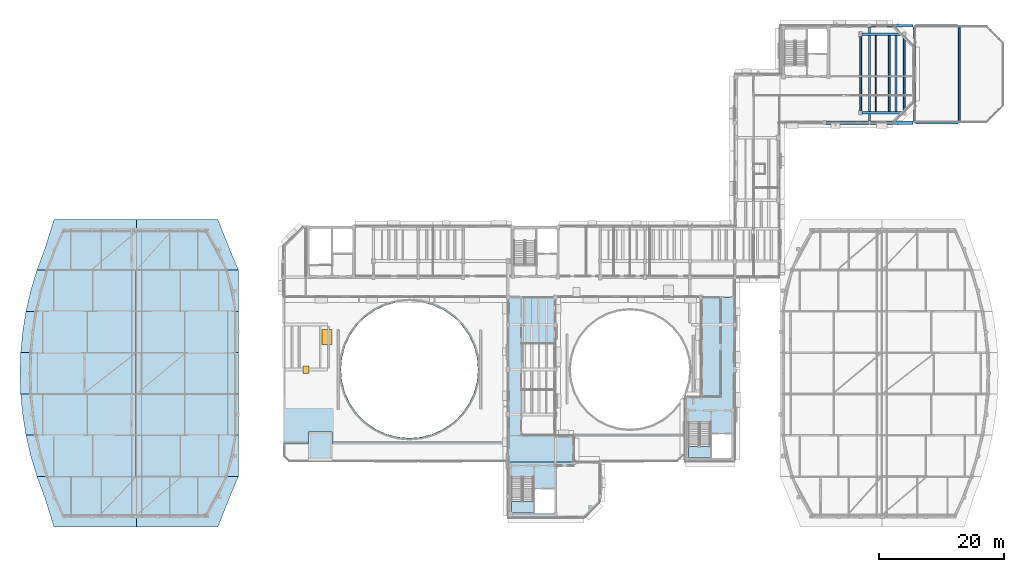
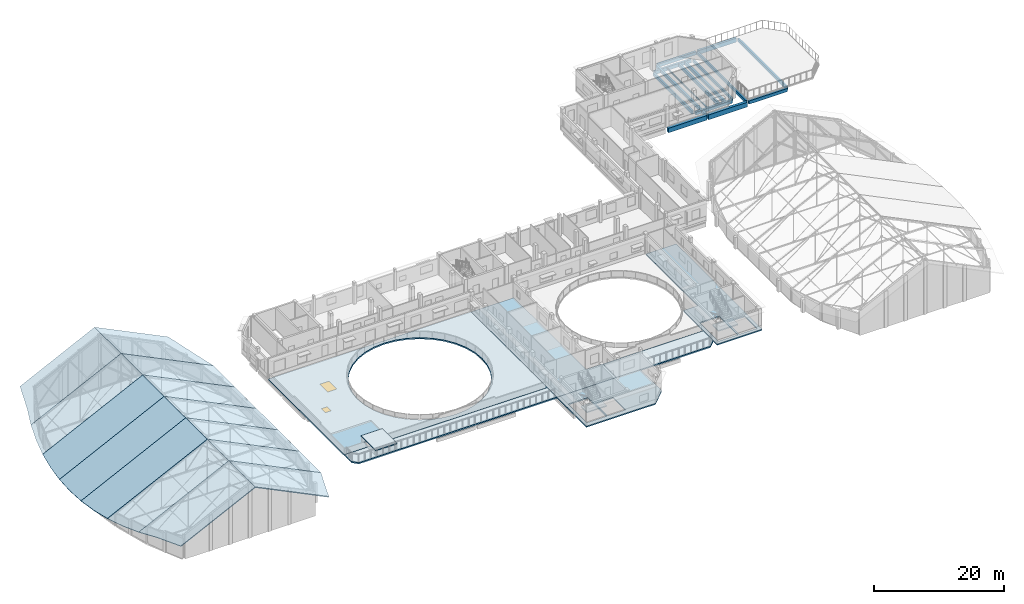
# One storey, part 36 of 78: 23 slabs, 15 beams, 2 windows, 2 openings, 2 elements without a shape of their own.
"""IFC4 building model written with IfcOpenShell, lengths in metres."""

from ifc_helpers import new_model, si_unit, direction, frame, origin, origin_2d, place, context, subcontext, project, spatial, polyline, rectangle, i_section, outline, extrude, material, layer, layer_set, material_profile, profile_set, type_object, element, fill, aggregate, save


model = new_model("IFC4")

# Units and contexts
model_context = context("Model", 3, precision=1e-05, world=origin(), true_north=direction((0.0, 1.0)))
body_context = subcontext(model_context, "Body", "Model", "MODEL_VIEW")
ifc_project = project(units=[si_unit("LENGTHUNIT", "METRE"), si_unit("AREAUNIT", "SQUARE_METRE"), si_unit("VOLUMEUNIT", "CUBIC_METRE"), si_unit("PLANEANGLEUNIT", "RADIAN"), si_unit("MASSUNIT", "GRAM", prefix="KILO")], contexts=[model_context])

# Site, building, storey
site_placement = place(None, origin())
site = spatial("IfcSite", under=ifc_project, at=site_placement, CompositionType="ELEMENT")
building_placement = place(site_placement, origin())
building = spatial("IfcBuilding", under=site, at=building_placement, Name="Kelanivale Promenade Academy", CompositionType="ELEMENT")
storey_placement = place(building_placement, frame((0.0, 0.0, 16.199951171875)))
storey = spatial("IfcBuildingStorey", under=building, at=storey_placement, Name="L04", CompositionType="ELEMENT", Elevation=16.199951171875)

# Beams
ifc_material_1 = material(Name="Concrete C35/45", Category="concrete")
ifc_material_profile_1 = material_profile(ifc_material_1, rectangle(XDim=0.5, YDim=0.85009765625, at=origin_2d()), Name="RC-BM 500x850")
ifc_profile_set_1 = profile_set([ifc_material_profile_1], Name="Concrete C35/45")
beam_type_1 = type_object("IfcBeamType", Name="BM-07 RC-BM 500x850", PredefinedType="BEAM", material=ifc_profile_set_1)
beam_1_placement = place(storey_placement, frame((130.2451171875, 96.39990234375, -0.704833984375), z_axis=(1.0, 0.0, 0.0), x_axis=(0.0, 1.0, 0.0)))
element("IfcBeam", 1, at=beam_1_placement, inside=storey, type_object=beam_type_1, Name="L04 girder BM-07", PredefinedType="BEAM", context=body_context, shape_type="SweptSolid", body=[
    extrude(rectangle(XDim=0.5, YDim=0.85009765625, at=origin_2d()), origin(), (0.0, 0.0, 1.0), 6.784912109375),
])
ifc_material_profile_2 = material_profile(ifc_material_1, rectangle(XDim=0.5, YDim=0.89990234375, at=origin_2d()), Name="RC-BM 500x900")
ifc_profile_set_2 = profile_set([ifc_material_profile_2], Name="Concrete C35/45")
beam_type_2 = type_object("IfcBeamType", Name="BM-08 RC-BM 500x900", PredefinedType="BEAM", material=ifc_profile_set_2)
beam_2_placement = place(storey_placement, frame((137.3701171875, 96.39990234375, -0.72998046875), z_axis=(1.0, 0.0, 0.0), x_axis=(0.0, 1.0, 0.0)))
element("IfcBeam", 2, at=beam_2_placement, inside=storey, type_object=beam_type_2, Name="L04 girder BM-08", PredefinedType="BEAM", context=body_context, shape_type="SweptSolid", body=[
    extrude(rectangle(XDim=0.5, YDim=0.89990234375, at=origin_2d()), origin(), (0.0, 0.0, 1.0), 6.85986328125),
])
ifc_material_profile_3 = material_profile(ifc_material_1, rectangle(XDim=0.35009765625, YDim=0.60009765625, at=origin_2d()), Name="RC-BM 350x600")
ifc_profile_set_3 = profile_set([ifc_material_profile_3], Name="Concrete C35/45")
beam_type_3 = type_object("IfcBeamType", Name="BM-09 RC-BM 350x600", PredefinedType="BEAM", material=ifc_profile_set_3)
beam_3_placement = place(storey_placement, frame((144.570068359375, 96.39990234375, -0.534912109375), z_axis=(1.0, 0.0, 0.0), x_axis=(0.0, 1.0, 0.0)))
element("IfcBeam", 3, at=beam_3_placement, inside=storey, type_object=beam_type_3, Name="L04 girder BM-09", PredefinedType="BEAM", context=body_context, shape_type="SweptSolid", body=[
    extrude(rectangle(XDim=0.35009765625, YDim=0.60009765625, at=origin_2d()), origin(), (0.0, 0.0, 1.0), 6.809814453125),
])
beam_4_placement = place(storey_placement, frame((136.044921875, 98.0, -0.579833984375), z_axis=(1.0, 0.0, 0.0), x_axis=(0.0, 1.0, 0.0)))
element("IfcBeam", 4, at=beam_4_placement, inside=storey, type_object=beam_type_3, Name="L04 girder BM-09", PredefinedType="BEAM", context=body_context, shape_type="SweptSolid", body=[
    extrude(rectangle(XDim=0.35009765625, YDim=0.60009765625, at=origin_2d()), origin(), (0.0, 0.0, 1.0), 6.510009765625),
])
ifc_material_profile_4 = material_profile(ifc_material_1, rectangle(XDim=0.35009765625, YDim=0.64990234375, at=origin_2d()), Name="RC-BM 350x650")
ifc_profile_set_4 = profile_set([ifc_material_profile_4], Name="Concrete C35/45")
beam_type_4 = type_object("IfcBeamType", Name="BM-10 RC-BM 350x650", PredefinedType="BEAM", material=ifc_profile_set_4)
beam_5_placement = place(storey_placement, frame((136.044921875, 110.60009765625, -0.60498046875), z_axis=(1.0, 0.0, 0.0), x_axis=(0.0, 1.0, 0.0)))
element("IfcBeam", 5, at=beam_5_placement, inside=storey, type_object=beam_type_4, Name="L04 girder BM-10", PredefinedType="BEAM", context=body_context, shape_type="SweptSolid", body=[
    extrude(rectangle(XDim=0.35009765625, YDim=0.64990234375, at=origin_2d()), origin(), (0.0, 0.0, 1.0), 6.510009765625),
])
ifc_material_profile_5 = material_profile(ifc_material_1, rectangle(XDim=0.39990234375, YDim=0.60009765625, at=origin_2d()), Name="RC-BM 400x600")
ifc_profile_set_5 = profile_set([ifc_material_profile_5], Name="Concrete C35/45")
beam_type_5 = type_object("IfcBeamType", Name="BM-12 RC-BM 400x600", PredefinedType="BEAM", material=ifc_profile_set_5)
beam_6_placement = place(storey_placement, frame((137.39501953125, 112.0, -0.579833984375), z_axis=(1.0, 0.0, 0.0), x_axis=(0.0, 1.0, 0.0)))
element("IfcBeam", 6, at=beam_6_placement, inside=storey, type_object=beam_type_5, Name="L04 girder BM-12", PredefinedType="BEAM", context=body_context, shape_type="SweptSolid", body=[
    extrude(rectangle(XDim=0.39990234375, YDim=0.60009765625, at=origin_2d()), origin(), (0.0, 0.0, 1.0), 6.81005859375),
])
ifc_material_profile_6 = material_profile(ifc_material_1, rectangle(XDim=0.39990234375, YDim=0.75, at=origin_2d()), Name="RC-BM 400x750")
ifc_profile_set_6 = profile_set([ifc_material_profile_6], Name="Concrete C35/45")
beam_type_6 = type_object("IfcBeamType", Name="BM-13 RC-BM 400x750", PredefinedType="BEAM", material=ifc_profile_set_6)
beam_7_placement = place(storey_placement, frame((144.594970703125, 112.0, -0.60986328125), z_axis=(1.0, 0.0, 0.0), x_axis=(0.0, 1.0, 0.0)))
element("IfcBeam", 7, at=beam_7_placement, inside=storey, type_object=beam_type_6, Name="L04 girder BM-13", PredefinedType="BEAM", context=body_context, shape_type="SweptSolid", body=[
    extrude(rectangle(XDim=0.39990234375, YDim=0.75, at=origin_2d()), origin(), (0.0, 0.0, 1.0), 6.760009765625),
])
ifc_material_profile_7 = material_profile(ifc_material_1, rectangle(XDim=0.300048828125, YDim=0.5, at=origin_2d()), Name="RC-BM 300x500")
ifc_profile_set_7 = profile_set([ifc_material_profile_7], Name="Concrete C35/45")
beam_type_7 = type_object("IfcBeamType", Name="JS-01 RC-BM 300x500", PredefinedType="JOIST", material=ifc_profile_set_7)
beam_8_placement = place(storey_placement, frame((142.800048828125, 98.320068359375, -0.530029296875), z_axis=(0.0, 1.0, 0.0), x_axis=(-1.0, 0.0, 0.0)))
element("IfcBeam", 8, at=beam_8_placement, inside=storey, type_object=beam_type_7, Name="L04 beam JS-01", PredefinedType="JOIST", context=body_context, shape_type="SweptSolid", body=[
    extrude(rectangle(XDim=0.300048828125, YDim=0.5, at=origin_2d()), origin(), (0.0, 0.0, 1.0), 11.909912109375),
])
ifc_material_profile_8 = material_profile(ifc_material_1, rectangle(XDim=0.300048828125, YDim=0.550048828125, at=origin_2d()), Name="RC-BM 300x550")
ifc_profile_set_8 = profile_set([ifc_material_profile_8], Name="Concrete C35/45")
beam_type_8 = type_object("IfcBeamType", Name="JS-02 RC-BM 300x550", PredefinedType="JOIST", material=ifc_profile_set_8)
beam_9_placement = place(storey_placement, frame((144.39990234375, 96.64501953125, -0.554931640625), z_axis=(0.0, 1.0, 0.0), x_axis=(-1.0, 0.0, 0.0)))
element("IfcBeam", 9, at=beam_9_placement, inside=storey, type_object=beam_type_8, Name="L04 beam JS-02", PredefinedType="JOIST", context=body_context, shape_type="SweptSolid", body=[
    extrude(rectangle(XDim=0.300048828125, YDim=0.550048828125, at=origin_2d()), origin(), (0.0, 0.0, 1.0), 15.10986328125),
])
ifc_material_profile_9 = material_profile(ifc_material_1, rectangle(XDim=0.300048828125, YDim=0.60009765625, at=origin_2d()), Name="RC-BM 300x600")
ifc_profile_set_9 = profile_set([ifc_material_profile_9], Name="Concrete C35/45")
beam_type_9 = type_object("IfcBeamType", Name="JS-03 RC-BM 300x600", PredefinedType="JOIST", material=ifc_profile_set_9)
beam_10_placement = place(storey_placement, frame((151.60009765625, 96.669921875, -0.534912109375), z_axis=(0.0, 1.0, 0.0), x_axis=(-1.0, 0.0, 0.0)))
element("IfcBeam", 10, at=beam_10_placement, inside=storey, type_object=beam_type_9, Name="L04 beam JS-03", PredefinedType="JOIST", context=body_context, shape_type="SweptSolid", body=[
    extrude(rectangle(XDim=0.300048828125, YDim=0.60009765625, at=origin_2d()), origin(), (0.0, 0.0, 1.0), 15.03515625),
])
ifc_material_profile_10 = material_profile(ifc_material_1, rectangle(XDim=0.320068359375, YDim=0.60009765625, at=origin_2d()), Name="RC-BM 320x600")
ifc_profile_set_10 = profile_set([ifc_material_profile_10], Name="Concrete C35/45")
beam_type_10 = type_object("IfcBeamType", Name="JS-05 RC-BM 320x600", PredefinedType="JOIST", material=ifc_profile_set_10)
beam_11_placement = place(storey_placement, frame((135.800048828125, 98.320068359375, -0.579833984375), z_axis=(0.0, 1.0, 0.0), x_axis=(-1.0, 0.0, 0.0)))
element("IfcBeam", 11, at=beam_11_placement, inside=storey, type_object=beam_type_10, Name="L04 beam JS-05", PredefinedType="JOIST", context=body_context, shape_type="SweptSolid", body=[
    extrude(rectangle(XDim=0.320068359375, YDim=0.60009765625, at=origin_2d()), origin(), (0.0, 0.0, 1.0), 11.909912109375),
])
beam_12_placement = place(storey_placement, frame((140.385009765625, 98.175048828125, -0.579833984375), z_axis=(0.0, 1.0, 0.0), x_axis=(-1.0, 0.0, 0.0)))
element("IfcBeam", 12, at=beam_12_placement, inside=storey, type_object=beam_type_10, Name="L04 secondary sub-beam JS-05", PredefinedType="JOIST", context=body_context, shape_type="SweptSolid", body=[
    extrude(rectangle(XDim=0.320068359375, YDim=0.60009765625, at=origin_2d()), origin(), (0.0, 0.0, 1.0), 12.25),
])
ifc_material_profile_11 = material_profile(ifc_material_1, rectangle(XDim=0.35009765625, YDim=0.550048828125, at=origin_2d()), Name="RC-BM 350x550")
ifc_profile_set_11 = profile_set([ifc_material_profile_11], Name="Concrete C35/45")
beam_type_11 = type_object("IfcBeamType", Name="JS-06 RC-BM 350x550", PredefinedType="JOIST", material=ifc_profile_set_11)
beam_13_placement = place(storey_placement, frame((137.199951171875, 96.64501953125, -0.554931640625), z_axis=(0.0, 1.0, 0.0), x_axis=(-1.0, 0.0, 0.0)))
element("IfcBeam", 13, at=beam_13_placement, inside=storey, type_object=beam_type_11, Name="L04 beam JS-06", PredefinedType="JOIST", context=body_context, shape_type="SweptSolid", body=[
    extrude(rectangle(XDim=0.35009765625, YDim=0.550048828125, at=origin_2d()), origin(), (0.0, 0.0, 1.0), 15.10986328125),
])
beam_14_placement = place(storey_placement, frame((141.469970703125, 98.175048828125, -0.554931640625), z_axis=(0.0, 1.0, 0.0), x_axis=(-1.0, 0.0, 0.0)))
element("IfcBeam", 14, at=beam_14_placement, inside=storey, type_object=beam_type_11, Name="L04 secondary sub-beam JS-06", PredefinedType="JOIST", context=body_context, shape_type="SweptSolid", body=[
    extrude(rectangle(XDim=0.35009765625, YDim=0.550048828125, at=origin_2d()), origin(), (0.0, 0.0, 1.0), 12.25),
])
ifc_material_2 = material(Name="Steel S355", Category="steel")
ifc_material_profile_12 = material_profile(ifc_material_2, i_section(OverallWidth=0.14599609375, OverallDepth=0.25146484375, WebThickness=0.006103515625, FlangeThickness=0.008544921875, FilletRadius=0.007568359375, at=origin_2d()), Name="UB 254x146x31")
ifc_profile_set_12 = profile_set([ifc_material_profile_12], Name="Steel S355")
beam_type_12 = type_object("IfcBeamType", Name="SB-02 UB 254x146x31", PredefinedType="JOIST", material=ifc_profile_set_12)
beam_15_placement = place(storey_placement, frame((138.215087890625, 98.175048828125, -0.406005859375), z_axis=(0.0, 1.0, 0.0), x_axis=(-1.0, 0.0, 0.0)))
element("IfcBeam", 15, at=beam_15_placement, inside=storey, type_object=beam_type_12, Name="L04 secondary sub-beam SB-02", PredefinedType="JOIST", context=body_context, shape_type="SweptSolid", body=[
    extrude(i_section(OverallWidth=0.14599609375, OverallDepth=0.25146484375, WebThickness=0.006103515625, FlangeThickness=0.008544921875, FilletRadius=0.007568359375, at=origin_2d()), origin(), (0.0, 0.0, 1.0), 12.25),
])

# Slabs
ifc_layer_1 = layer(ifc_material_1, 0.219970703125)
ifc_layer_set_1 = layer_set([ifc_layer_1], Name="Concrete C35/45")
slab_type_1 = type_object("IfcSlabType", Name="FS-01 Slab 220mm", PredefinedType="FLOOR", material=ifc_layer_set_1)
slab_1_placement = place(storey_placement, frame((0.0, 0.0, -0.219970703125)))
element("IfcSlab", 16, at=slab_1_placement, inside=storey, type_object=slab_type_1, Name="L04 structural slab SLB-L04-V4S", PredefinedType="FLOOR", context=body_context, shape_type="SweptSolid", body=[
    extrude(outline(polyline([(91.47998046875, 33.0), (94.0, 35.52001953125), (94.0, 42.0), (79.199951171875, 42.0), (79.199951171875, 33.0), (91.47998046875, 33.0)]), holes=[polyline([(83.485107421875, 37.625), (86.635009765625, 37.625), (86.635009765625, 33.764892578125), (83.485107421875, 33.764892578125), (83.485107421875, 37.625)]), polyline([(79.764892578125, 33.764892578125), (79.764892578125, 39.544921875), (83.264892578125, 39.544921875), (83.264892578125, 33.764892578125), (79.764892578125, 33.764892578125)])]), origin(), (0.0, 0.0, 1.0), 0.219970703125),
])
slab_2_placement = place(storey_placement, frame((0.0, 0.0, -0.219970703125)))
element("IfcSlab", 17, at=slab_2_placement, inside=storey, type_object=slab_type_1, Name="L04 structural slab SLB-L04-V4SP", PredefinedType="FLOOR", context=body_context, shape_type="SweptSolid", body=[
    extrude(outline(polyline([(86.800048828125, 46.199951171875), (86.800048828125, 68.39990234375), (79.199951171875, 68.39990234375), (79.199951171875, 42.0), (89.800048828125, 42.0), (89.800048828125, 46.199951171875), (86.800048828125, 46.199951171875)])), origin(), (0.0, 0.0, 1.0), 0.219970703125),
])
slab_3_placement = place(storey_placement, frame((0.0, 0.0, -0.219970703125)))
element("IfcSlab", 18, at=slab_3_placement, inside=storey, type_object=slab_type_1, Name="L04 structural slab SLB-L04-V4EC", PredefinedType="FLOOR", context=body_context, shape_type="SweptSolid", body=[
    extrude(outline(polyline([(110.199951171875, 68.39990234375), (110.199951171875, 52.39990234375), (107.60009765625, 52.39990234375), (107.60009765625, 42.0), (115.60009765625, 42.0), (115.60009765625, 68.39990234375), (110.199951171875, 68.39990234375)]), holes=[polyline([(111.885009765625, 46.425048828125), (115.034912109375, 46.425048828125), (115.034912109375, 42.56494140625), (111.885009765625, 42.56494140625), (111.885009765625, 46.425048828125)]), polyline([(108.1650390625, 42.56494140625), (108.1650390625, 48.344970703125), (111.6650390625, 48.344970703125), (111.6650390625, 42.56494140625), (108.1650390625, 42.56494140625)])]), origin(), (0.0, 0.0, 1.0), 0.219970703125),
])

# Stair, slab
stair_type = type_object("IfcStairType", Name="ST-T02 Protected dog-leg upper-storey stair", PredefinedType="HALF_TURN_STAIR", material=ifc_material_1)
stair_1_placement = place(storey_placement, origin())
stair_1 = element("IfcStair", 19, at=stair_1_placement, inside=storey, type_object=stair_type, Name="L04 ST-01", PredefinedType="HALF_TURN_STAIR")
ifc_layer_2 = layer(ifc_material_1, 0.199951171875)
ifc_layer_set_2 = layer_set([ifc_layer_2], Name="Concrete C35/45")
slab_type_2 = type_object("IfcSlabType", Name="LS-01 Slab 200mm", PredefinedType="LANDING", material=ifc_layer_set_2)
slab_4_placement = place(storey_placement, frame((0.0, 0.0, 1.800048828125)))
slab_4 = element("IfcSlab", 20, at=slab_4_placement, type_object=slab_type_2, Name="ST-01 landing 1", PredefinedType="LANDING", context=body_context, shape_type="SweptSolid", body=[
    extrude(outline(polyline([(79.764892578125, 35.64501953125), (79.764892578125, 33.764892578125), (83.264892578125, 33.764892578125), (83.264892578125, 35.64501953125), (79.764892578125, 35.64501953125)])), origin(), (0.0, 0.0, 1.0), 0.199951171875),
])
aggregate(stair_1, [slab_4])

stair_2_placement = place(storey_placement, origin())
stair_2 = element("IfcStair", 21, at=stair_2_placement, inside=storey, type_object=stair_type, Name="L04 ST-03", PredefinedType="HALF_TURN_STAIR")
slab_5_placement = place(storey_placement, frame((0.0, 0.0, 1.800048828125)))
slab_5 = element("IfcSlab", 22, at=slab_5_placement, type_object=slab_type_2, Name="ST-03 landing 1", PredefinedType="LANDING", context=body_context, shape_type="SweptSolid", body=[
    extrude(outline(polyline([(108.1650390625, 44.445068359375), (108.1650390625, 42.56494140625), (111.6650390625, 42.56494140625), (111.6650390625, 44.445068359375), (108.1650390625, 44.445068359375)])), origin(), (0.0, 0.0, 1.0), 0.199951171875),
])
aggregate(stair_2, [slab_5])

# Slabs
ifc_layer_3 = layer(ifc_material_1, 0.235107421875)
ifc_layer_set_3 = layer_set([ifc_layer_3], Name="Concrete C35/45")
slab_type_3 = type_object("IfcSlabType", Name="PD-01 Slab 235mm", PredefinedType="FLOOR", material=ifc_layer_set_3)
slab_6_placement = place(storey_placement, frame((0.0, 0.0, -0.23486328125)))
element("IfcSlab", 23, at=slab_6_placement, inside=storey, type_object=slab_type_3, Name="West Banyan Courtyard Rooftop Play Deck", PredefinedType="FLOOR", context=body_context, shape_type="SweptSolid", body=[
    extrude(outline(polyline([(44.0400390625, 42.0), (79.199951171875, 42.0), (79.199951171875, 45.0), (43.199951171875, 45.0), (43.199951171875, 42.840087890625), (44.0400390625, 42.0)])), origin(), (0.0, 0.0, 1.0), 0.23486328125),
])
slab_7_placement = place(storey_placement, frame((0.0, 0.0, -0.23486328125)))
element("IfcSlab", 24, at=slab_7_placement, inside=storey, type_object=slab_type_3, Name="East Lotus Courtyard Rooftop Play Deck", PredefinedType="FLOOR", context=body_context, shape_type="SweptSolid", body=[
    extrude(outline(polyline([(106.424072265625, 42.0), (107.60009765625, 43.176025390625), (107.60009765625, 46.199951171875), (89.800048828125, 46.199951171875), (89.800048828125, 42.0), (106.424072265625, 42.0)])), origin(), (0.0, 0.0, 1.0), 0.23486328125),
])

# Slab, openings, windows
ifc_layer_4 = layer(ifc_material_1, 0.239990234375)
ifc_layer_set_4 = layer_set([ifc_layer_4], Name="Concrete C35/45")
slab_type_4 = type_object("IfcSlabType", Name="RS-01 Slab 240mm", PredefinedType="ROOF", material=ifc_layer_set_4)
slab_8_placement = place(storey_placement, frame((0.0, 0.0, -0.239990234375)))
slab_8 = element("IfcSlab", 25, at=slab_8_placement, inside=storey, type_object=slab_type_4, Name="L04 planted roof slab RF-L04-CY1W", PredefinedType="ROOF", context=body_context, shape_type="SweptSolid", body=[
    extrude(outline(polyline([(79.199951171875, 68.39990234375), (43.199951171875, 68.39990234375), (43.199951171875, 45.0), (47.485107421875, 45.0), (47.485107421875, 46.425048828125), (50.635009765625, 46.425048828125), (50.635009765625, 45.0), (79.199951171875, 45.0), (79.199951171875, 68.39990234375)]), holes=[polyline([(63.39990234375, 67.800048828125), (65.31005859375, 67.633056640625), (67.162109375, 67.136962890625), (68.89990234375, 66.325927734375), (70.470947265625, 65.22607421875), (71.825927734375, 63.87109375), (72.926025390625, 62.300048828125), (73.737060546875, 60.56201171875), (74.23291015625, 58.7099609375), (74.39990234375, 56.800048828125), (74.23291015625, 54.889892578125), (73.737060546875, 53.0380859375), (72.926025390625, 51.300048828125), (71.825927734375, 49.72900390625), (70.470947265625, 48.3740234375), (68.89990234375, 47.27392578125), (67.162109375, 46.462890625), (65.31005859375, 45.967041015625), (63.39990234375, 45.800048828125), (61.489990234375, 45.967041015625), (59.637939453125, 46.462890625), (57.89990234375, 47.27392578125), (56.3291015625, 48.3740234375), (54.97412109375, 49.72900390625), (53.8740234375, 51.300048828125), (53.06298828125, 53.0380859375), (52.56689453125, 54.889892578125), (52.39990234375, 56.800048828125), (52.56689453125, 58.7099609375), (53.06298828125, 60.56201171875), (53.8740234375, 62.300048828125), (54.97412109375, 63.87109375), (56.3291015625, 65.22607421875), (57.89990234375, 66.325927734375), (59.637939453125, 67.136962890625), (61.489990234375, 67.633056640625), (63.39990234375, 67.800048828125)])]), origin(), (0.0, 0.0, 1.0), 0.239990234375),
])
opening_1_placement = place(slab_8_placement, frame((46.800048828125, 56.800048828125, 0.0)))
opening_1 = element("IfcOpeningElement", 26, at=opening_1_placement, cuts=slab_8, Name="Opening RH-03", PredefinedType="OPENING", context=body_context, shape_type="SweptSolid", body=[
    extrude(rectangle(XDim=1.0, YDim=1.199951171875, at=origin_2d()), frame((0.0, 0.0, -0.010009765625)), (0.0, 0.0, 1.0), 0.260009765625),
])
opening_2_placement = place(slab_8_placement, frame((50.199951171875, 62.0, 0.0)))
opening_2 = element("IfcOpeningElement", 27, at=opening_2_placement, cuts=slab_8, Name="Opening SK-14", PredefinedType="OPENING", context=body_context, shape_type="SweptSolid", body=[
    extrude(rectangle(XDim=1.60009765625, YDim=2.39990234375, at=origin_2d()), frame((0.0, 0.0, -0.010009765625)), (0.0, 0.0, 1.0), 0.260009765625),
])
ifc_material_3 = material(Name="Bronze anodised aluminium frame with low-E laminated glass", Category="aluminium")
window_type_1 = type_object("IfcWindowType", Name="RH-01 Skylight 1000x1200", PartitioningType="SINGLE_PANEL", PredefinedType="SKYLIGHT", material=ifc_material_3)
window_1_placement = place(opening_1_placement, frame((0.0, 0.0, 0.18994140625)))
window_1 = element("IfcWindow", 28, at=window_1_placement, inside=storey, type_object=window_type_1, Name="Roof maintenance access hatch RH-03", OverallHeight=1.199951171875, OverallWidth=1.0, PartitioningType="SINGLE_PANEL", PredefinedType="SKYLIGHT", context=body_context, shape_type="SweptSolid", body=[
    extrude(rectangle(XDim=1.0, YDim=1.199951171875, at=origin_2d()), origin(), (0.0, 0.0, 1.0), 0.050048828125),
])
fill(opening_1, window_1)
window_type_2 = type_object("IfcWindowType", Name="SK-03 Skylight 1600x2400", PartitioningType="SINGLE_PANEL", PredefinedType="SKYLIGHT", material=ifc_material_3)
window_2_placement = place(opening_2_placement, frame((0.0, 0.0, 0.18994140625)))
window_2 = element("IfcWindow", 29, at=window_2_placement, inside=storey, type_object=window_type_2, Name="Daylight skylight SK-03", OverallHeight=2.39990234375, OverallWidth=1.60009765625, PartitioningType="SINGLE_PANEL", PredefinedType="SKYLIGHT", context=body_context, shape_type="SweptSolid", body=[
    extrude(rectangle(XDim=1.60009765625, YDim=2.39990234375, at=origin_2d()), origin(), (0.0, 0.0, 1.0), 0.050048828125),
])
fill(opening_2, window_2)

# Slabs
ifc_material_4 = material(Name="Precast concrete C35/45", Category="concrete")
ifc_layer_5 = layer(ifc_material_4, 0.159912109375)
ifc_layer_set_5 = layer_set([ifc_layer_5], Name="Precast concrete C35/45")
slab_type_5 = type_object("IfcSlabType", Name="RS-02 Slab 160mm", PredefinedType="ROOF", material=ifc_layer_set_5)
slab_9_placement = place(storey_placement, frame((6.362060546875, 31.5, 3.93505859375), z_axis=(-0.438842583672, 2.6715047e-05, 0.898563957681), x_axis=(0.898563958001, 2.17e-10, 0.438842583828)))
element("IfcSlab", 30, at=slab_9_placement, inside=storey, type_object=slab_type_5, Name="Sports Hall Crescent Pavilion west roof facet bay 1", PredefinedType="ROOF", context=body_context, shape_type="SweptSolid", body=[
    extrude(outline(polyline([(0.0, 0.0), (14.732378895766571, 2.710505431213761e-20), (14.732378897527278, 8.128906247099225), (-3.0617302479299817, 8.128906258956844), (-1.6794164015411572, 4.8139648442128635), (0.0, 0.0)])), origin(), (0.0, 0.0, -1.0), 0.159912109375),
])
slab_10_placement = place(storey_placement, frame((19.60009765625, 31.5, 10.400146484375), z_axis=(0.438833805, 2.4432403e-05, 0.898568245039), x_axis=(0.898568245307, -1.31e-10, -0.438833805131)))
element("IfcSlab", 31, at=slab_10_placement, inside=storey, type_object=slab_type_5, Name="Sports Hall Crescent Pavilion east roof facet bay 1", PredefinedType="ROOF", context=body_context, shape_type="SweptSolid", body=[
    extrude(outline(polyline([(0.0, 0.0), (14.522848510081483, -2.710505431213761e-20), (16.637488144833394, 4.813964842676167), (18.19559425781885, 8.128906257178937), (-1.0653227034615027e-09, 8.128906247573756), (0.0, 0.0)])), origin(), (0.0, 0.0, -1.0), 0.159912109375),
])
slab_11_placement = place(storey_placement, frame((3.611083984375, 39.62890625, 2.591064453125), z_axis=(-0.438850084846, -5.4574765e-05, 0.898560292942), x_axis=(0.89856029428, 4.63e-10, 0.4388500855)))
element("IfcSlab", 32, at=slab_11_placement, inside=storey, type_object=slab_type_5, Name="Sports Hall Crescent Pavilion west roof facet bay 2", PredefinedType="ROOF", context=body_context, shape_type="SweptSolid", body=[
    extrude(outline(polyline([(0.0, 0.0), (17.794109147338254, -5.421010862427522e-20), (17.79410915040852, 6.628173818254306), (-1.9496631393781945, 6.628173857382579), (-1.1053072242997048, 3.3142089773245633), (0.0, 0.0)])), origin(), (0.0, 0.0, -1.0), 0.159912109375),
])
slab_12_placement = place(storey_placement, frame((19.60009765625, 39.62890625, 10.400146484375), z_axis=(0.43884839963, 0.0, 0.898561117644), x_axis=(0.898561117644, 0.0, -0.43884839963)))
element("IfcSlab", 33, at=slab_12_placement, inside=storey, type_object=slab_type_5, Name="Sports Hall Crescent Pavilion east roof facet bay 2", PredefinedType="ROOF", context=body_context, shape_type="SweptSolid", body=[
    extrude(outline(polyline([(0.0, 0.0), (18.195594261284196, 0.0), (18.195594261284196, 6.628173828125), (0.0, 6.628173828125), (0.0, 0.0)])), origin(), (0.0, 0.0, -1.0), 0.159912109375),
])
slab_13_placement = place(storey_placement, frame((1.85888671875, 46.257080078125, 1.736083984375), z_axis=(-0.438825521648, 3.6707263e-05, 0.898572289915), x_axis=(0.89857229052, 1.8e-11, 0.438825521943)))
element("IfcSlab", 34, at=slab_13_placement, inside=storey, type_object=slab_type_5, Name="Sports Hall Crescent Pavilion west roof facet bay 3", PredefinedType="ROOF", context=body_context, shape_type="SweptSolid", body=[
    extrude(outline(polyline([(0.0, 0.0), (19.74377229742793, 0.0), (19.74377229754703, 6.62890624553403), (-0.949274170356275, 6.628906262972016), (-0.5951846609482037, 3.3139648335257466), (0.0, 0.0)])), origin(), (0.0, 0.0, -1.0), 0.159912109375),
])
slab_14_placement = place(storey_placement, frame((19.60009765625, 46.257080078125, 10.400146484375), z_axis=(0.43884839963, 0.0, 0.898561117644), x_axis=(0.898561117644, 0.0, -0.43884839963)))
element("IfcSlab", 35, at=slab_14_placement, inside=storey, type_object=slab_type_5, Name="Sports Hall Crescent Pavilion east roof facet bay 3", PredefinedType="ROOF", context=body_context, shape_type="SweptSolid", body=[
    extrude(outline(polyline([(0.0, 0.0), (18.195594261284196, 0.0), (18.195594261284196, 6.62890625), (0.0, 6.62890625), (0.0, 0.0)])), origin(), (0.0, 0.0, -1.0), 0.159912109375),
])
slab_15_placement = place(storey_placement, frame((1.006103515625, 52.885986328125, 1.319091796875), z_axis=(-0.438848331972, 0.0, 0.898561150688), x_axis=(0.898561150688, 0.0, 0.438848331972)))
element("IfcSlab", 36, at=slab_15_placement, inside=storey, type_object=slab_type_5, Name="Sports Hall Crescent Pavilion west roof facet bay 4", PredefinedType="ROOF", context=body_context, shape_type="SweptSolid", body=[
    extrude(outline(polyline([(0.0, 0.0), (20.693046473038205, 0.0), (20.693046473038205, 6.6279296875), (0.0, 6.6279296875), (-0.11824921759258583, 3.31396484375), (0.0, 0.0)])), origin(), (0.0, 0.0, -1.0), 0.159912109375),
])
slab_16_placement = place(storey_placement, frame((19.60009765625, 52.885986328125, 10.400146484375), z_axis=(0.43884839963, 0.0, 0.898561117644), x_axis=(0.898561117644, 0.0, -0.43884839963)))
element("IfcSlab", 37, at=slab_16_placement, inside=storey, type_object=slab_type_5, Name="Sports Hall Crescent Pavilion east roof facet bay 4", PredefinedType="ROOF", context=body_context, shape_type="SweptSolid", body=[
    extrude(outline(polyline([(0.0, 0.0), (18.195594261284196, 0.0), (18.195594261284196, 6.6279296875), (0.0, 6.6279296875), (0.0, 0.0)])), origin(), (0.0, 0.0, -1.0), 0.159912109375),
])
slab_17_placement = place(storey_placement, frame((1.006103515625, 59.513916015625, 1.319091796875), z_axis=(-0.438825521841, -3.6705895e-05, 0.89857228982), x_axis=(0.898572290426, 8.25e-10, 0.438825522137)))
element("IfcSlab", 38, at=slab_17_placement, inside=storey, type_object=slab_type_5, Name="Sports Hall Crescent Pavilion west roof facet bay 5", PredefinedType="ROOF", context=body_context, shape_type="SweptSolid", body=[
    extrude(outline(polyline([(0.0, 0.0), (20.693046467903404, 0.0), (20.693046473370416, 6.629150386159198), (0.9492741759424875, 6.629150402796613), (0.35408951220178797, 3.3151855697719443), (0.0, 0.0)])), origin(), (0.0, 0.0, -1.0), 0.159912109375),
])
slab_18_placement = place(storey_placement, frame((19.60009765625, 59.513916015625, 10.400146484375), z_axis=(0.43884839963, 0.0, 0.898561117644), x_axis=(0.898561117644, 0.0, -0.43884839963)))
element("IfcSlab", 39, at=slab_18_placement, inside=storey, type_object=slab_type_5, Name="Sports Hall Crescent Pavilion east roof facet bay 5", PredefinedType="ROOF", context=body_context, shape_type="SweptSolid", body=[
    extrude(outline(polyline([(0.0, 0.0), (18.195594261284196, 0.0), (18.195594261284196, 6.629150390625), (0.0, 6.629150390625), (0.0, 0.0)])), origin(), (0.0, 0.0, -1.0), 0.159912109375),
])
slab_19_placement = place(storey_placement, frame((1.85888671875, 66.14306640625, 1.736083984375), z_axis=(-0.438850084538, 5.4576723e-05, 0.898560293092), x_axis=(0.898560294431, 1.519e-09, 0.438850085192)))
element("IfcSlab", 40, at=slab_19_placement, inside=storey, type_object=slab_type_5, Name="Sports Hall Crescent Pavilion west roof facet bay 6", PredefinedType="ROOF", context=body_context, shape_type="SweptSolid", body=[
    extrude(outline(polyline([(0.0, 0.0), (19.7437722897869, -5.421010862427522e-20), (19.74377229985224, 6.627929677628963), (1.949663152514037, 6.627929712894652), (0.8443559216464906, 3.3139648783857343), (0.0, 0.0)])), origin(), (0.0, 0.0, -1.0), 0.159912109375),
])
slab_20_placement = place(storey_placement, frame((19.60009765625, 66.14306640625, 10.400146484375), z_axis=(0.43884839963, 0.0, 0.898561117644), x_axis=(0.898561117644, 0.0, -0.43884839963)))
element("IfcSlab", 41, at=slab_20_placement, inside=storey, type_object=slab_type_5, Name="Sports Hall Crescent Pavilion east roof facet bay 6", PredefinedType="ROOF", context=body_context, shape_type="SweptSolid", body=[
    extrude(outline(polyline([(0.0, 0.0), (18.195594261284196, 0.0), (18.195594261284196, 6.6279296875), (0.0, 6.6279296875), (0.0, 0.0)])), origin(), (0.0, 0.0, -1.0), 0.159912109375),
])
slab_21_placement = place(storey_placement, frame((3.611083984375, 72.77099609375, 2.591064453125), z_axis=(-0.438842583672, -2.6715047e-05, 0.898563957681), x_axis=(0.898563958001, 4.5e-10, 0.438842583828)))
element("IfcSlab", 42, at=slab_21_placement, inside=storey, type_object=slab_type_5, Name="Sports Hall Crescent Pavilion west roof facet bay 7", PredefinedType="ROOF", context=body_context, shape_type="SweptSolid", body=[
    extrude(outline(polyline([(0.0, 0.0), (17.79410914545726, -2.710505431213761e-20), (17.794109149113485, 8.128906247099225), (3.0617302533469135, 8.128906256916572), (1.3823138485978315, 3.3149414138228366), (0.0, 0.0)])), origin(), (0.0, 0.0, -1.0), 0.159912109375),
])
slab_22_placement = place(storey_placement, frame((19.60009765625, 72.77099609375, 10.400146484375), z_axis=(0.438833805, -2.4432403e-05, 0.898568245039), x_axis=(0.898568245307, -3.97e-10, -0.438833805131)))
element("IfcSlab", 43, at=slab_22_placement, inside=storey, type_object=slab_type_5, Name="Sports Hall Crescent Pavilion east roof facet bay 7", PredefinedType="ROOF", context=body_context, shape_type="SweptSolid", body=[
    extrude(outline(polyline([(0.0, 0.0), (18.19559425888417, 0.0), (16.637488144148808, 3.3149414136802693), (14.522848506855677, 8.12890625524015), (-3.22580523708281e-09, 8.128906247573756), (0.0, 0.0)])), origin(), (0.0, 0.0, -1.0), 0.159912109375),
])
ifc_layer_6 = layer(ifc_material_1, 0.139892578125)
ifc_layer_set_6 = layer_set([ifc_layer_6], Name="Concrete C35/45")
slab_type_6 = type_object("IfcSlabType", Name="RS-03 Slab 140mm", PredefinedType="ROOF", material=ifc_layer_set_6)
slab_23_placement = place(storey_placement, frame((0.0, 0.0, 0.9599609375)))
element("IfcSlab", 44, at=slab_23_placement, inside=storey, type_object=slab_type_6, Name="CORE-6 lift overrun roof slab", PredefinedType="ROOF", context=body_context, shape_type="SweptSolid", body=[
    extrude(outline(polyline([(47.155029296875, 42.235107421875), (50.965087890625, 42.235107421875), (50.965087890625, 46.7548828125), (47.155029296875, 46.7548828125), (47.155029296875, 42.235107421875)])), origin(), (0.0, 0.0, 1.0), 0.14013671875),
])

save(model, "model.ifc")
